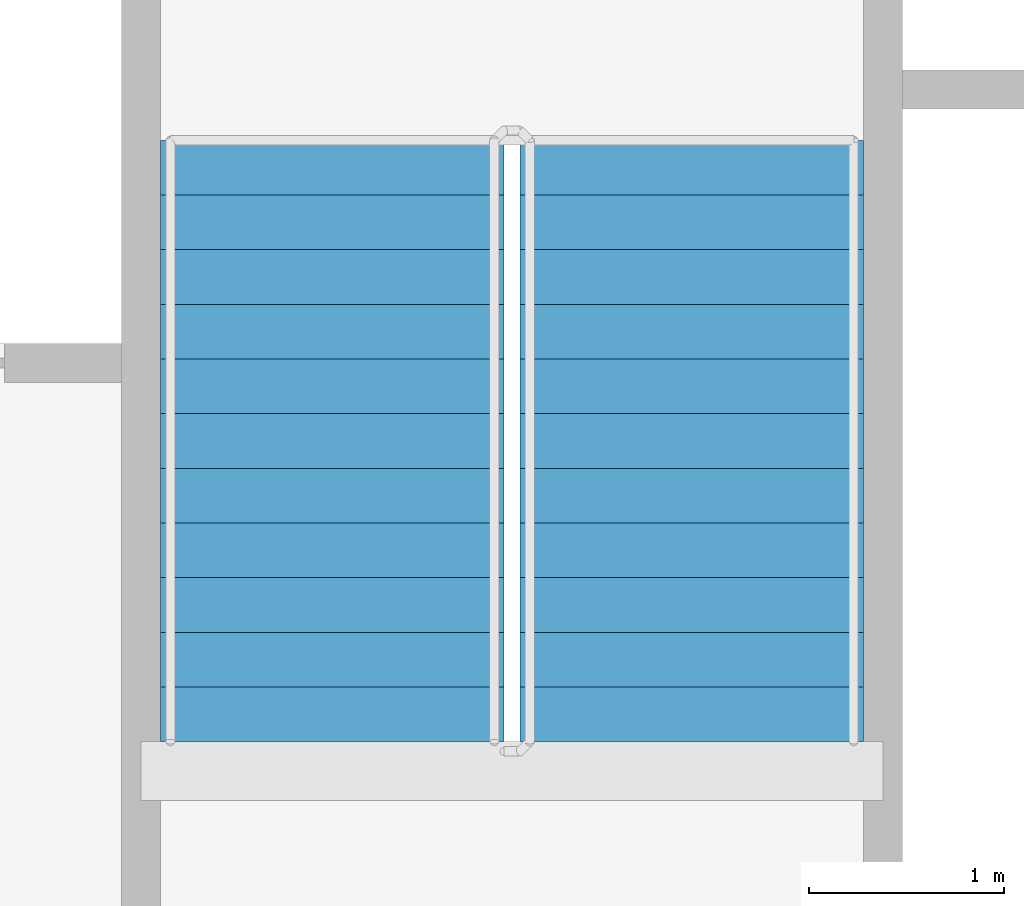
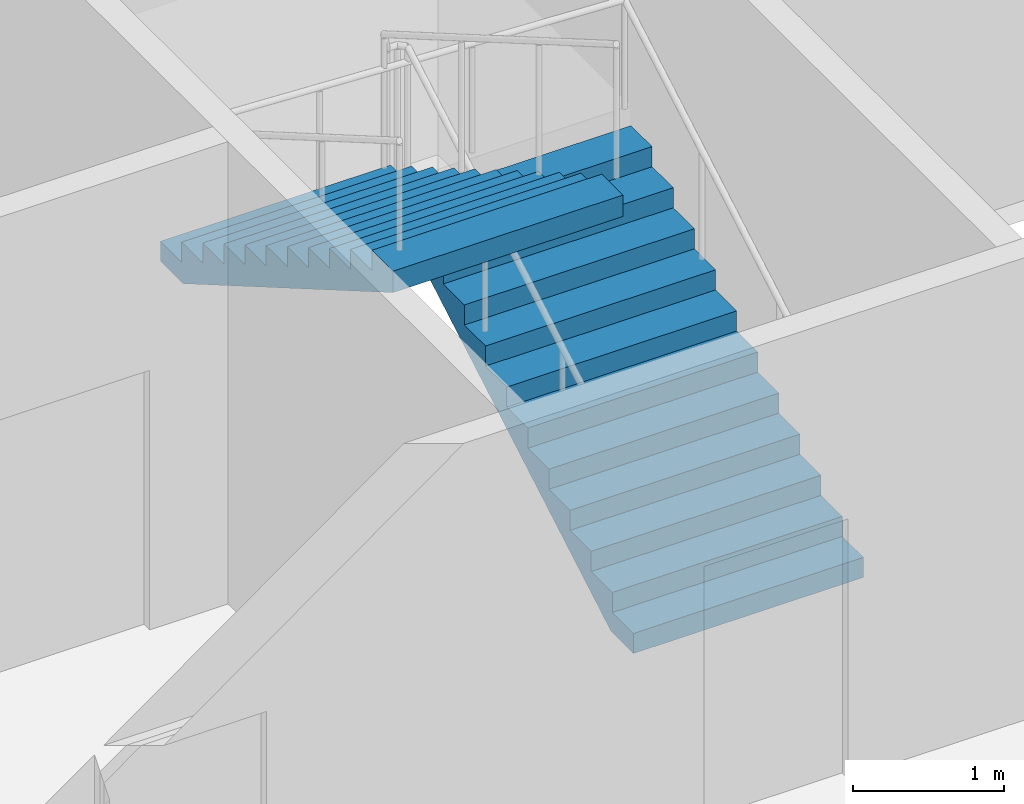
# One storey, part 17 of 22: 2 stair flights, 1 element without a shape of its own.
"""IFC4 building model written with IfcOpenShell, lengths in metres."""

from ifc_helpers import new_model, si_unit, direction, frame, origin, place, context, subcontext, project, spatial, faceted_brep, material, type_object, element, aggregate, save


model = new_model("IFC4")

# Units and contexts
model_context = context("Model", 3, precision=1e-05, world=origin(), true_north=direction((0.0, 1.0)))
body_context = subcontext(model_context, "Body", "Model", "MODEL_VIEW")
ifc_project = project(units=[si_unit("LENGTHUNIT", "METRE"), si_unit("AREAUNIT", "SQUARE_METRE"), si_unit("VOLUMEUNIT", "CUBIC_METRE"), si_unit("PLANEANGLEUNIT", "RADIAN"), si_unit("MASSUNIT", "GRAM", prefix="KILO")], contexts=[model_context])

# Site, building, storey
site_placement = place(None, origin())
site = spatial("IfcSite", under=ifc_project, at=site_placement, CompositionType="ELEMENT")
building_placement = place(site_placement, origin())
building = spatial("IfcBuilding", under=site, at=building_placement, Name="Tarsis Ring Headquarters", CompositionType="ELEMENT")
storey_placement = place(building_placement, frame((0.0, 0.0, 263.0)))
storey = spatial("IfcBuildingStorey", under=building, at=storey_placement, Name="L61", CompositionType="ELEMENT", Elevation=263.0)

# Stair, stair flights
ifc_material_1 = material(Name="Core stair 1760")
stair_type = type_object("IfcStairType", Name="Core stair 1760", PredefinedType="HALF_TURN_STAIR", material=ifc_material_1)
stair_placement = place(storey_placement, origin())
stair = element("IfcStair", 1, at=stair_placement, inside=storey, type_object=stair_type, Name="L61 Exit stair B", PredefinedType="HALF_TURN_STAIR")
ifc_material_2 = material(Name="Concrete C40/50", Category="concrete")
stair_flight_type = type_object("IfcStairFlightType", Name="Core stair flight 1760", PredefinedType="STRAIGHT", material=ifc_material_2)
stair_flight_1_placement = place(storey_placement, frame((5.419921875, 3.659912109375, 0.0), z_axis=(0.0, 0.0, 1.0), x_axis=(0.0, 1.0, 0.0)))
stair_flight_1 = element("IfcStairFlight", 2, at=stair_flight_1_placement, type_object=stair_flight_type, Name="Stair ST2 flight 1", NumberOfRisers=12, NumberOfTreads=11, PredefinedType="STRAIGHT", RiserHeight=0.1625, TreadLength=0.28, context=body_context, shape_type="Brep", body=[
    faceted_brep([(0.0, 0.8798828125, 0.0), (0.0, 0.8798828125, 0.16259765625), (0.280029296875, 0.8798828125, 0.16259765625), (0.280029296875, 0.8798828125, 0.324951171875), (0.56005859375, 0.8798828125, 0.324951171875), (0.56005859375, 0.8798828125, 0.487548828125), (0.840087890625, 0.8798828125, 0.487548828125), (0.840087890625, 0.8798828125, 0.64990234375), (1.1201171875, 0.8798828125, 0.64990234375), (1.1201171875, 0.8798828125, 0.8125), (1.39990234375, 0.8798828125, 0.8125), (1.39990234375, 0.8798828125, 0.97509765625), (1.679931640625, 0.8798828125, 0.97509765625), (1.679931640625, 0.8798828125, 1.137451171875), (1.9599609375, 0.8798828125, 1.137451171875), (1.9599609375, 0.8798828125, 1.300048828125), (2.239990234375, 0.8798828125, 1.300048828125), (2.239990234375, 0.8798828125, 1.46240234375), (2.52001953125, 0.8798828125, 1.46240234375), (2.52001953125, 0.8798828125, 1.625), (2.800048828125, 0.8798828125, 1.625), (2.800048828125, 0.8798828125, 1.78759765625), (3.080078125, 0.8798828125, 1.78759765625), (3.080078125, 0.8798828125, 1.6142578125), (0.298583984375, 0.8798828125, 0.0), (0.298583984375, -0.8798828125, 0.0), (3.080078125, -0.8798828125, 1.6142578125), (3.080078125, -0.8798828125, 1.78759765625), (2.800048828125, -0.8798828125, 1.78759765625), (2.800048828125, -0.8798828125, 1.625), (2.52001953125, -0.8798828125, 1.625), (2.52001953125, -0.8798828125, 1.46240234375), (2.239990234375, -0.8798828125, 1.46240234375), (2.239990234375, -0.8798828125, 1.300048828125), (1.9599609375, -0.8798828125, 1.300048828125), (1.9599609375, -0.8798828125, 1.137451171875), (1.679931640625, -0.8798828125, 1.137451171875), (1.679931640625, -0.8798828125, 0.97509765625), (1.39990234375, -0.8798828125, 0.97509765625), (1.39990234375, -0.8798828125, 0.8125), (1.1201171875, -0.8798828125, 0.8125), (1.1201171875, -0.8798828125, 0.64990234375), (0.840087890625, -0.8798828125, 0.64990234375), (0.840087890625, -0.8798828125, 0.487548828125), (0.56005859375, -0.8798828125, 0.487548828125), (0.56005859375, -0.8798828125, 0.324951171875), (0.280029296875, -0.8798828125, 0.324951171875), (0.280029296875, -0.8798828125, 0.16259765625), (0.0, -0.8798828125, 0.16259765625), (0.0, -0.8798828125, 0.0), (0.0, -0.43994140625, 0.16259765625), (0.0, -0.43994140625, 0.0), (0.0, 0.0, 0.16259765625), (0.0, 0.0, 0.0), (0.0, 0.43994140625, 0.16259765625), (0.0, 0.43994140625, 0.0), (0.280029296875, -0.43994140625, 0.16259765625), (0.280029296875, 0.0, 0.16259765625), (0.280029296875, 0.43994140625, 0.16259765625), (0.280029296875, -0.43994140625, 0.324951171875), (0.280029296875, 0.0, 0.324951171875), (0.280029296875, 0.43994140625, 0.324951171875), (0.56005859375, -0.43994140625, 0.324951171875), (0.56005859375, 0.0, 0.324951171875), (0.56005859375, 0.43994140625, 0.324951171875), (0.56005859375, -0.43994140625, 0.487548828125), (0.56005859375, 0.0, 0.487548828125), (0.56005859375, 0.43994140625, 0.487548828125), (0.840087890625, -0.43994140625, 0.487548828125), (0.840087890625, 0.0, 0.487548828125), (0.840087890625, 0.43994140625, 0.487548828125), (0.840087890625, -0.43994140625, 0.64990234375), (0.840087890625, 0.0, 0.64990234375), (0.840087890625, 0.43994140625, 0.64990234375), (1.1201171875, -0.43994140625, 0.64990234375), (1.1201171875, 0.0, 0.64990234375), (1.1201171875, 0.43994140625, 0.64990234375), (1.1201171875, -0.43994140625, 0.8125), (1.1201171875, 0.0, 0.8125), (1.1201171875, 0.43994140625, 0.8125), (1.39990234375, -0.43994140625, 0.8125), (1.39990234375, 0.0, 0.8125), (1.39990234375, 0.43994140625, 0.8125), (1.39990234375, -0.43994140625, 0.97509765625), (1.39990234375, 0.0, 0.97509765625), (1.39990234375, 0.43994140625, 0.97509765625), (1.679931640625, -0.43994140625, 0.97509765625), (1.679931640625, 0.0, 0.97509765625), (1.679931640625, 0.43994140625, 0.97509765625), (1.679931640625, -0.43994140625, 1.137451171875), (1.679931640625, 0.0, 1.137451171875), (1.679931640625, 0.43994140625, 1.137451171875), (1.9599609375, -0.43994140625, 1.137451171875), (1.9599609375, 0.0, 1.137451171875), (1.9599609375, 0.43994140625, 1.137451171875), (1.9599609375, -0.43994140625, 1.300048828125), (1.9599609375, 0.0, 1.300048828125), (1.9599609375, 0.43994140625, 1.300048828125), (2.239990234375, -0.43994140625, 1.300048828125), (2.239990234375, 0.0, 1.300048828125), (2.239990234375, 0.43994140625, 1.300048828125), (2.239990234375, -0.43994140625, 1.46240234375), (2.239990234375, 0.0, 1.46240234375), (2.239990234375, 0.43994140625, 1.46240234375), (2.52001953125, -0.43994140625, 1.46240234375), (2.52001953125, 0.0, 1.46240234375), (2.52001953125, 0.43994140625, 1.46240234375), (2.52001953125, -0.43994140625, 1.625), (2.52001953125, 0.0, 1.625), (2.52001953125, 0.43994140625, 1.625), (2.800048828125, -0.43994140625, 1.625), (2.800048828125, 0.0, 1.625), (2.800048828125, 0.43994140625, 1.625), (2.800048828125, -0.43994140625, 1.78759765625), (2.800048828125, 0.0, 1.78759765625), (2.800048828125, 0.43994140625, 1.78759765625), (3.080078125, -0.43994140625, 1.78759765625), (3.080078125, 0.0, 1.78759765625), (3.080078125, 0.43994140625, 1.78759765625), (3.080078125, -0.43994140625, 1.6142578125), (3.080078125, 0.0, 1.6142578125), (3.080078125, 0.43994140625, 1.6142578125), (0.298583984375, -0.43994140625, 0.0), (0.298583984375, 0.0, 0.0), (0.298583984375, 0.43994140625, 0.0)], [[[0, 1, 2, 3, 4, 5, 6, 7, 8, 9, 10, 11, 12, 13, 14, 15, 16, 17, 18, 19, 20, 21, 22, 23, 24]], [[25, 26, 27, 28, 29, 30, 31, 32, 33, 34, 35, 36, 37, 38, 39, 40, 41, 42, 43, 44, 45, 46, 47, 48, 49]], [[49, 48, 50, 51]], [[51, 50, 52, 53]], [[53, 52, 54, 55]], [[55, 54, 1, 0]], [[48, 47, 56, 50]], [[50, 56, 57, 52]], [[52, 57, 58, 54]], [[54, 58, 2, 1]], [[47, 46, 59, 56]], [[56, 59, 60, 57]], [[57, 60, 61, 58]], [[58, 61, 3, 2]], [[46, 45, 62, 59]], [[59, 62, 63, 60]], [[60, 63, 64, 61]], [[61, 64, 4, 3]], [[45, 44, 65, 62]], [[62, 65, 66, 63]], [[63, 66, 67, 64]], [[64, 67, 5, 4]], [[44, 43, 68, 65]], [[65, 68, 69, 66]], [[66, 69, 70, 67]], [[67, 70, 6, 5]], [[43, 42, 71, 68]], [[68, 71, 72, 69]], [[69, 72, 73, 70]], [[70, 73, 7, 6]], [[42, 41, 74, 71]], [[71, 74, 75, 72]], [[72, 75, 76, 73]], [[73, 76, 8, 7]], [[41, 40, 77, 74]], [[74, 77, 78, 75]], [[75, 78, 79, 76]], [[76, 79, 9, 8]], [[40, 39, 80, 77]], [[77, 80, 81, 78]], [[78, 81, 82, 79]], [[79, 82, 10, 9]], [[39, 38, 83, 80]], [[80, 83, 84, 81]], [[81, 84, 85, 82]], [[82, 85, 11, 10]], [[38, 37, 86, 83]], [[83, 86, 87, 84]], [[84, 87, 88, 85]], [[85, 88, 12, 11]], [[37, 36, 89, 86]], [[86, 89, 90, 87]], [[87, 90, 91, 88]], [[88, 91, 13, 12]], [[36, 35, 92, 89]], [[89, 92, 93, 90]], [[90, 93, 94, 91]], [[91, 94, 14, 13]], [[35, 34, 95, 92]], [[92, 95, 96, 93]], [[93, 96, 97, 94]], [[94, 97, 15, 14]], [[34, 33, 98, 95]], [[95, 98, 99, 96]], [[96, 99, 100, 97]], [[97, 100, 16, 15]], [[33, 32, 101, 98]], [[98, 101, 102, 99]], [[99, 102, 103, 100]], [[100, 103, 17, 16]], [[32, 31, 104, 101]], [[101, 104, 105, 102]], [[102, 105, 106, 103]], [[103, 106, 18, 17]], [[31, 30, 107, 104]], [[104, 107, 108, 105]], [[105, 108, 109, 106]], [[106, 109, 19, 18]], [[30, 29, 110, 107]], [[107, 110, 111, 108]], [[108, 111, 112, 109]], [[109, 112, 20, 19]], [[29, 28, 113, 110]], [[110, 113, 114, 111]], [[111, 114, 115, 112]], [[112, 115, 21, 20]], [[28, 27, 116, 113]], [[113, 116, 117, 114]], [[114, 117, 118, 115]], [[115, 118, 22, 21]], [[27, 26, 119, 116]], [[116, 119, 120, 117]], [[117, 120, 121, 118]], [[118, 121, 23, 22]], [[26, 25, 122, 119]], [[119, 122, 123, 120]], [[120, 123, 124, 121]], [[121, 124, 24, 23]], [[25, 49, 51, 122]], [[122, 51, 53, 123]], [[123, 53, 55, 124]], [[124, 55, 0, 24]]]),
])
stair_flight_2_placement = place(storey_placement, frame((3.580078125, 6.739990234375, 1.949951171875), z_axis=(0.0, 0.0, 1.0), x_axis=(0.0, -1.0, 0.0)))
stair_flight_2 = element("IfcStairFlight", 3, at=stair_flight_2_placement, type_object=stair_flight_type, Name="Stair ST2 flight 2", NumberOfRisers=12, NumberOfTreads=11, PredefinedType="STRAIGHT", RiserHeight=0.1625, TreadLength=0.28, context=body_context, shape_type="Brep", body=[
    faceted_brep([(0.0, 0.8798828125, 0.0), (0.0, 0.8798828125, 0.16259765625), (0.280029296875, 0.8798828125, 0.16259765625), (0.280029296875, 0.8798828125, 0.324951171875), (0.56005859375, 0.8798828125, 0.324951171875), (0.56005859375, 0.8798828125, 0.487548828125), (0.840087890625, 0.8798828125, 0.487548828125), (0.840087890625, 0.8798828125, 0.64990234375), (1.1201171875, 0.8798828125, 0.64990234375), (1.1201171875, 0.8798828125, 0.8125), (1.39990234375, 0.8798828125, 0.8125), (1.39990234375, 0.8798828125, 0.97509765625), (1.679931640625, 0.8798828125, 0.97509765625), (1.679931640625, 0.8798828125, 1.137451171875), (1.9599609375, 0.8798828125, 1.137451171875), (1.9599609375, 0.8798828125, 1.300048828125), (2.239990234375, 0.8798828125, 1.300048828125), (2.239990234375, 0.8798828125, 1.46240234375), (2.52001953125, 0.8798828125, 1.46240234375), (2.52001953125, 0.8798828125, 1.625), (2.800048828125, 0.8798828125, 1.625), (2.800048828125, 0.8798828125, 1.78759765625), (3.080078125, 0.8798828125, 1.78759765625), (3.080078125, 0.8798828125, 1.6142578125), (0.298583984375, 0.8798828125, 0.0), (0.298583984375, -0.8798828125, 0.0), (3.080078125, -0.8798828125, 1.6142578125), (3.080078125, -0.8798828125, 1.78759765625), (2.800048828125, -0.8798828125, 1.78759765625), (2.800048828125, -0.8798828125, 1.625), (2.52001953125, -0.8798828125, 1.625), (2.52001953125, -0.8798828125, 1.46240234375), (2.239990234375, -0.8798828125, 1.46240234375), (2.239990234375, -0.8798828125, 1.300048828125), (1.9599609375, -0.8798828125, 1.300048828125), (1.9599609375, -0.8798828125, 1.137451171875), (1.679931640625, -0.8798828125, 1.137451171875), (1.679931640625, -0.8798828125, 0.97509765625), (1.39990234375, -0.8798828125, 0.97509765625), (1.39990234375, -0.8798828125, 0.8125), (1.1201171875, -0.8798828125, 0.8125), (1.1201171875, -0.8798828125, 0.64990234375), (0.840087890625, -0.8798828125, 0.64990234375), (0.840087890625, -0.8798828125, 0.487548828125), (0.56005859375, -0.8798828125, 0.487548828125), (0.56005859375, -0.8798828125, 0.324951171875), (0.280029296875, -0.8798828125, 0.324951171875), (0.280029296875, -0.8798828125, 0.16259765625), (0.0, -0.8798828125, 0.16259765625), (0.0, -0.8798828125, 0.0), (0.0, -0.43994140625, 0.16259765625), (0.0, -0.43994140625, 0.0), (0.0, 0.0, 0.16259765625), (0.0, 0.0, 0.0), (0.0, 0.43994140625, 0.16259765625), (0.0, 0.43994140625, 0.0), (0.280029296875, -0.43994140625, 0.16259765625), (0.280029296875, 0.0, 0.16259765625), (0.280029296875, 0.43994140625, 0.16259765625), (0.280029296875, -0.43994140625, 0.324951171875), (0.280029296875, 0.0, 0.324951171875), (0.280029296875, 0.43994140625, 0.324951171875), (0.56005859375, -0.43994140625, 0.324951171875), (0.56005859375, 0.0, 0.324951171875), (0.56005859375, 0.43994140625, 0.324951171875), (0.56005859375, -0.43994140625, 0.487548828125), (0.56005859375, 0.0, 0.487548828125), (0.56005859375, 0.43994140625, 0.487548828125), (0.840087890625, -0.43994140625, 0.487548828125), (0.840087890625, 0.0, 0.487548828125), (0.840087890625, 0.43994140625, 0.487548828125), (0.840087890625, -0.43994140625, 0.64990234375), (0.840087890625, 0.0, 0.64990234375), (0.840087890625, 0.43994140625, 0.64990234375), (1.1201171875, -0.43994140625, 0.64990234375), (1.1201171875, 0.0, 0.64990234375), (1.1201171875, 0.43994140625, 0.64990234375), (1.1201171875, -0.43994140625, 0.8125), (1.1201171875, 0.0, 0.8125), (1.1201171875, 0.43994140625, 0.8125), (1.39990234375, -0.43994140625, 0.8125), (1.39990234375, 0.0, 0.8125), (1.39990234375, 0.43994140625, 0.8125), (1.39990234375, -0.43994140625, 0.97509765625), (1.39990234375, 0.0, 0.97509765625), (1.39990234375, 0.43994140625, 0.97509765625), (1.679931640625, -0.43994140625, 0.97509765625), (1.679931640625, 0.0, 0.97509765625), (1.679931640625, 0.43994140625, 0.97509765625), (1.679931640625, -0.43994140625, 1.137451171875), (1.679931640625, 0.0, 1.137451171875), (1.679931640625, 0.43994140625, 1.137451171875), (1.9599609375, -0.43994140625, 1.137451171875), (1.9599609375, 0.0, 1.137451171875), (1.9599609375, 0.43994140625, 1.137451171875), (1.9599609375, -0.43994140625, 1.300048828125), (1.9599609375, 0.0, 1.300048828125), (1.9599609375, 0.43994140625, 1.300048828125), (2.239990234375, -0.43994140625, 1.300048828125), (2.239990234375, 0.0, 1.300048828125), (2.239990234375, 0.43994140625, 1.300048828125), (2.239990234375, -0.43994140625, 1.46240234375), (2.239990234375, 0.0, 1.46240234375), (2.239990234375, 0.43994140625, 1.46240234375), (2.52001953125, -0.43994140625, 1.46240234375), (2.52001953125, 0.0, 1.46240234375), (2.52001953125, 0.43994140625, 1.46240234375), (2.52001953125, -0.43994140625, 1.625), (2.52001953125, 0.0, 1.625), (2.52001953125, 0.43994140625, 1.625), (2.800048828125, -0.43994140625, 1.625), (2.800048828125, 0.0, 1.625), (2.800048828125, 0.43994140625, 1.625), (2.800048828125, -0.43994140625, 1.78759765625), (2.800048828125, 0.0, 1.78759765625), (2.800048828125, 0.43994140625, 1.78759765625), (3.080078125, -0.43994140625, 1.78759765625), (3.080078125, 0.0, 1.78759765625), (3.080078125, 0.43994140625, 1.78759765625), (3.080078125, -0.43994140625, 1.6142578125), (3.080078125, 0.0, 1.6142578125), (3.080078125, 0.43994140625, 1.6142578125), (0.298583984375, -0.43994140625, 0.0), (0.298583984375, 0.0, 0.0), (0.298583984375, 0.43994140625, 0.0)], [[[0, 1, 2, 3, 4, 5, 6, 7, 8, 9, 10, 11, 12, 13, 14, 15, 16, 17, 18, 19, 20, 21, 22, 23, 24]], [[25, 26, 27, 28, 29, 30, 31, 32, 33, 34, 35, 36, 37, 38, 39, 40, 41, 42, 43, 44, 45, 46, 47, 48, 49]], [[49, 48, 50, 51]], [[51, 50, 52, 53]], [[53, 52, 54, 55]], [[55, 54, 1, 0]], [[48, 47, 56, 50]], [[50, 56, 57, 52]], [[52, 57, 58, 54]], [[54, 58, 2, 1]], [[47, 46, 59, 56]], [[56, 59, 60, 57]], [[57, 60, 61, 58]], [[58, 61, 3, 2]], [[46, 45, 62, 59]], [[59, 62, 63, 60]], [[60, 63, 64, 61]], [[61, 64, 4, 3]], [[45, 44, 65, 62]], [[62, 65, 66, 63]], [[63, 66, 67, 64]], [[64, 67, 5, 4]], [[44, 43, 68, 65]], [[65, 68, 69, 66]], [[66, 69, 70, 67]], [[67, 70, 6, 5]], [[43, 42, 71, 68]], [[68, 71, 72, 69]], [[69, 72, 73, 70]], [[70, 73, 7, 6]], [[42, 41, 74, 71]], [[71, 74, 75, 72]], [[72, 75, 76, 73]], [[73, 76, 8, 7]], [[41, 40, 77, 74]], [[74, 77, 78, 75]], [[75, 78, 79, 76]], [[76, 79, 9, 8]], [[40, 39, 80, 77]], [[77, 80, 81, 78]], [[78, 81, 82, 79]], [[79, 82, 10, 9]], [[39, 38, 83, 80]], [[80, 83, 84, 81]], [[81, 84, 85, 82]], [[82, 85, 11, 10]], [[38, 37, 86, 83]], [[83, 86, 87, 84]], [[84, 87, 88, 85]], [[85, 88, 12, 11]], [[37, 36, 89, 86]], [[86, 89, 90, 87]], [[87, 90, 91, 88]], [[88, 91, 13, 12]], [[36, 35, 92, 89]], [[89, 92, 93, 90]], [[90, 93, 94, 91]], [[91, 94, 14, 13]], [[35, 34, 95, 92]], [[92, 95, 96, 93]], [[93, 96, 97, 94]], [[94, 97, 15, 14]], [[34, 33, 98, 95]], [[95, 98, 99, 96]], [[96, 99, 100, 97]], [[97, 100, 16, 15]], [[33, 32, 101, 98]], [[98, 101, 102, 99]], [[99, 102, 103, 100]], [[100, 103, 17, 16]], [[32, 31, 104, 101]], [[101, 104, 105, 102]], [[102, 105, 106, 103]], [[103, 106, 18, 17]], [[31, 30, 107, 104]], [[104, 107, 108, 105]], [[105, 108, 109, 106]], [[106, 109, 19, 18]], [[30, 29, 110, 107]], [[107, 110, 111, 108]], [[108, 111, 112, 109]], [[109, 112, 20, 19]], [[29, 28, 113, 110]], [[110, 113, 114, 111]], [[111, 114, 115, 112]], [[112, 115, 21, 20]], [[28, 27, 116, 113]], [[113, 116, 117, 114]], [[114, 117, 118, 115]], [[115, 118, 22, 21]], [[27, 26, 119, 116]], [[116, 119, 120, 117]], [[117, 120, 121, 118]], [[118, 121, 23, 22]], [[26, 25, 122, 119]], [[119, 122, 123, 120]], [[120, 123, 124, 121]], [[121, 124, 24, 23]], [[25, 49, 51, 122]], [[122, 51, 53, 123]], [[123, 53, 55, 124]], [[124, 55, 0, 24]]]),
])
aggregate(stair, [stair_flight_1, stair_flight_2])

save(model, "model.ifc")
